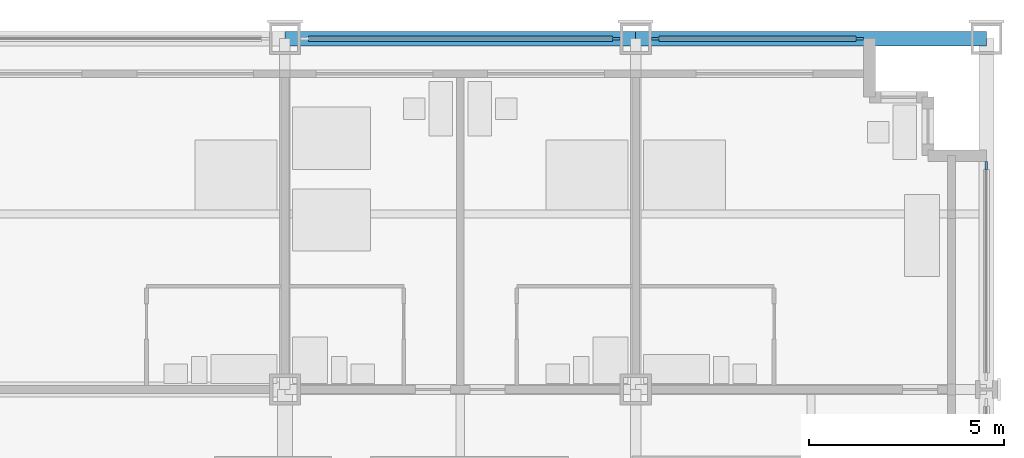
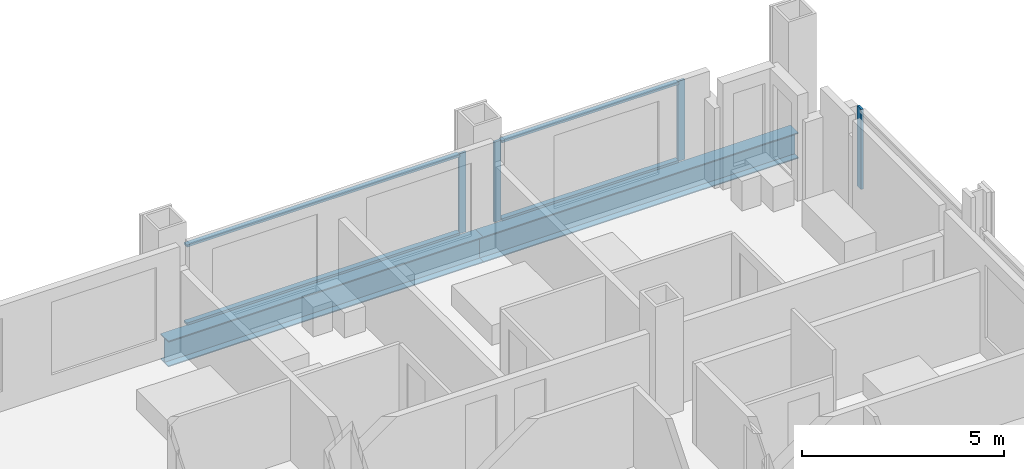
# One storey, part 8 of 18: 8 members, 2 beams, 3 elements without a shape of their own.
"""IFC4 building model written with IfcOpenShell, lengths in metres."""

from ifc_helpers import new_model, si_unit, direction, frame, origin, origin_2d, place, context, subcontext, project, spatial, rectangle, i_section, extrude, material, material_profile, profile_set, type_object, element, aggregate, save


model = new_model("IFC4")

# Units and contexts
model_context = context("Model", 3, precision=1e-05, world=origin(), true_north=direction((0.0, 1.0)))
body_context = subcontext(model_context, "Body", "Model", "MODEL_VIEW")
ifc_project = project(units=[si_unit("LENGTHUNIT", "METRE"), si_unit("AREAUNIT", "SQUARE_METRE"), si_unit("VOLUMEUNIT", "CUBIC_METRE"), si_unit("PLANEANGLEUNIT", "RADIAN"), si_unit("MASSUNIT", "GRAM", prefix="KILO")], contexts=[model_context])

# Site, building, storey
site_placement = place(None, origin())
site = spatial("IfcSite", under=ifc_project, at=site_placement, CompositionType="ELEMENT")
building_placement = place(site_placement, origin())
building = spatial("IfcBuilding", under=site, at=building_placement, Name="Loomwork Tower", CompositionType="ELEMENT")
storey_placement = place(building_placement, frame((0.0, 0.0, 82.39990234375)))
storey = spatial("IfcBuildingStorey", under=building, at=storey_placement, Name="L21", CompositionType="ELEMENT", Elevation=82.39990234375)

# Curtain wall, member
ifc_material_1 = material(Name="Aluminium curtain wall frame", Category="aluminium")
curtain_wall_type = type_object("IfcCurtainWallType", Name="Outer skin glazing hotel", PredefinedType="NOTDEFINED", material=ifc_material_1)
curtain_wall_1_placement = place(storey_placement, origin())
curtain_wall_1 = element("IfcCurtainWall", 1, at=curtain_wall_1_placement, inside=storey, type_object=curtain_wall_type, Name="Outer skin glazing hotel cw/N-36", PredefinedType="NOTDEFINED")
ifc_material_2 = material(Name="Aluminium curtain wall frame", Category="aluminium")
ifc_material_profile_1 = material_profile(ifc_material_2, rectangle(XDim=0.06494140625, YDim=0.199951171875, at=origin_2d()), Name="AL 65x200")
ifc_profile_set_1 = profile_set([ifc_material_profile_1], Name="Aluminium curtain wall frame")
member_type_1 = type_object("IfcMemberType", Name="Outer skin glazing hotel mullion", PredefinedType="MULLION", material=ifc_profile_set_1)
member_1_placement = place(storey_placement, frame((44.5, 36.0, 0.0), z_axis=(0.0, 0.0, 1.0), x_axis=(0.0, -1.0, 0.0)))
member_1 = element("IfcMember", 2, at=member_1_placement, type_object=member_type_1, Name="CW1 mullion 1", PredefinedType="MULLION", context=body_context, shape_type="SweptSolid", body=[
    extrude(rectangle(XDim=0.06494140625, YDim=0.199951171875, at=origin_2d()), origin(), (0.0, 0.0, 1.0), 2.42041015625),
])

# Curtain wall, members
curtain_wall_2_placement = place(storey_placement, origin())
curtain_wall_2 = element("IfcCurtainWall", 3, at=curtain_wall_2_placement, inside=storey, type_object=curtain_wall_type, Name="Outer skin glazing hotel cw/N-45", PredefinedType="NOTDEFINED")
member_2_placement = place(storey_placement, frame((50.75, 36.0, 0.0), z_axis=(0.0, 0.0, 1.0), x_axis=(0.0, -1.0, 0.0)))
member_2 = element("IfcMember", 4, at=member_2_placement, type_object=member_type_1, Name="CW1 mullion 1", PredefinedType="MULLION", context=body_context, shape_type="SweptSolid", body=[
    extrude(rectangle(XDim=0.06494140625, YDim=0.199951171875, at=origin_2d()), origin(), (0.0, 0.0, 1.0), 2.42041015625),
])
member_3_placement = place(storey_placement, frame((45.5, 36.0, 0.0), z_axis=(0.0, 0.0, 1.0), x_axis=(0.0, -1.0, 0.0)))
member_3 = element("IfcMember", 5, at=member_3_placement, type_object=member_type_1, Name="CW1 mullion 2", PredefinedType="MULLION", context=body_context, shape_type="SweptSolid", body=[
    extrude(rectangle(XDim=0.06494140625, YDim=0.199951171875, at=origin_2d()), origin(), (0.0, 0.0, 1.0), 2.42041015625),
])

# Curtain wall, member
curtain_wall_3_placement = place(storey_placement, origin())
curtain_wall_3 = element("IfcCurtainWall", 6, at=curtain_wall_3_placement, inside=storey, type_object=curtain_wall_type, Name="Outer skin glazing hotel cw/E-27", PredefinedType="NOTDEFINED")
member_4_placement = place(storey_placement, frame((54.0, 32.75, 0.0), z_axis=(0.0, 0.0, 1.0), x_axis=(-1.0, 0.0, 0.0)))
member_4 = element("IfcMember", 7, at=member_4_placement, type_object=member_type_1, Name="CW1 mullion 2", PredefinedType="MULLION", context=body_context, shape_type="SweptSolid", body=[
    extrude(rectangle(XDim=0.06494140625, YDim=0.199951171875, at=origin_2d()), origin(), (0.0, 0.0, 1.0), 2.42041015625),
])
aggregate(curtain_wall_3, [member_4])

# Member
ifc_material_3 = material(Name="Aluminium curtain wall frame", Category="aluminium")
ifc_material_profile_2 = material_profile(ifc_material_3, rectangle(XDim=0.14990234375, YDim=0.06494140625, at=origin_2d()), Name="AL 65x150")
ifc_profile_set_2 = profile_set([ifc_material_profile_2], Name="Aluminium curtain wall frame")
member_type_2 = type_object("IfcMemberType", Name="Outer skin glazing hotel transom", PredefinedType="USERDEFINED", material=ifc_profile_set_2)
member_5_placement = place(storey_placement, frame((44.39990234375, 36.0, 0.03271484375), z_axis=(-1.0, 0.0, 0.0), x_axis=(0.0, -1.0, 0.0)))
member_5 = element("IfcMember", 8, at=member_5_placement, type_object=member_type_2, Name="CW1 transom 1.1", ObjectType="TRANSOM", PredefinedType="USERDEFINED", context=body_context, shape_type="SweptSolid", body=[
    extrude(rectangle(XDim=0.14990234375, YDim=0.06494140625, at=origin_2d()), origin(), (0.0, 0.0, 1.0), 7.7998046875),
])

member_6_placement = place(storey_placement, frame((44.39990234375, 36.0, 2.3876953125), z_axis=(-1.0, 0.0, 0.0), x_axis=(0.0, -1.0, 0.0)))
member_6 = element("IfcMember", 9, at=member_6_placement, type_object=member_type_2, Name="CW1 transom 1.2", ObjectType="TRANSOM", PredefinedType="USERDEFINED", context=body_context, shape_type="SweptSolid", body=[
    extrude(rectangle(XDim=0.14990234375, YDim=0.06494140625, at=origin_2d()), origin(), (0.0, 0.0, 1.0), 7.7998046875),
])

aggregate(curtain_wall_1, [member_1, member_5, member_6])

member_7_placement = place(storey_placement, frame((50.64990234375, 36.0, 0.03271484375), z_axis=(-1.0, 0.0, 0.0), x_axis=(0.0, -1.0, 0.0)))
member_7 = element("IfcMember", 10, at=member_7_placement, type_object=member_type_2, Name="CW1 transom 1.1", ObjectType="TRANSOM", PredefinedType="USERDEFINED", context=body_context, shape_type="SweptSolid", body=[
    extrude(rectangle(XDim=0.14990234375, YDim=0.06494140625, at=origin_2d()), origin(), (0.0, 0.0, 1.0), 5.0498046875),
])

member_8_placement = place(storey_placement, frame((50.64990234375, 36.0, 2.3876953125), z_axis=(-1.0, 0.0, 0.0), x_axis=(0.0, -1.0, 0.0)))
member_8 = element("IfcMember", 11, at=member_8_placement, type_object=member_type_2, Name="CW1 transom 1.2", ObjectType="TRANSOM", PredefinedType="USERDEFINED", context=body_context, shape_type="SweptSolid", body=[
    extrude(rectangle(XDim=0.14990234375, YDim=0.06494140625, at=origin_2d()), origin(), (0.0, 0.0, 1.0), 5.0498046875),
])

aggregate(curtain_wall_2, [member_2, member_3, member_7, member_8])

# Beams
ifc_material_4 = material(Name="Steel ASTM A992", Category="steel")
ifc_material_profile_3 = material_profile(ifc_material_4, i_section(OverallWidth=0.381103515625, OverallDepth=0.77978515625, WebThickness=0.01806640625, FlangeThickness=0.0302734375, at=origin_2d()), Name="W30x191")
ifc_profile_set_3 = profile_set([ifc_material_profile_3], Name="Steel ASTM A992")
beam_type = type_object("IfcBeamType", Name="SPANDREL GIRDER W30x191", PredefinedType="SPANDREL", material=ifc_profile_set_3)
for number, where, z_axis, x_axis, name in (
    (12, (36.0, 36.0, -0.58984375), (1.0, 0.0, 0.0), (0.0, 1.0, 0.0), "Spandrel Girder H/6-H/7 L21"),
    (13, (45.0, 36.0, -0.58984375), (1.0, 0.0, 0.0), (0.0, 1.0, 0.0), "Spandrel Girder H/7-H/8 L21"),
):
    element("IfcBeam", number, at=place(storey_placement, frame(where, z_axis=z_axis, x_axis=x_axis)), inside=storey, type_object=beam_type, Name=name, PredefinedType="SPANDREL", context=body_context, shape_type="SweptSolid", body=[
        extrude(i_section(OverallWidth=0.381103515625, OverallDepth=0.77978515625, WebThickness=0.01806640625, FlangeThickness=0.0302734375, at=origin_2d()), origin(), (0.0, 0.0, 1.0), 9.0),
    ])

save(model, "model.ifc")
